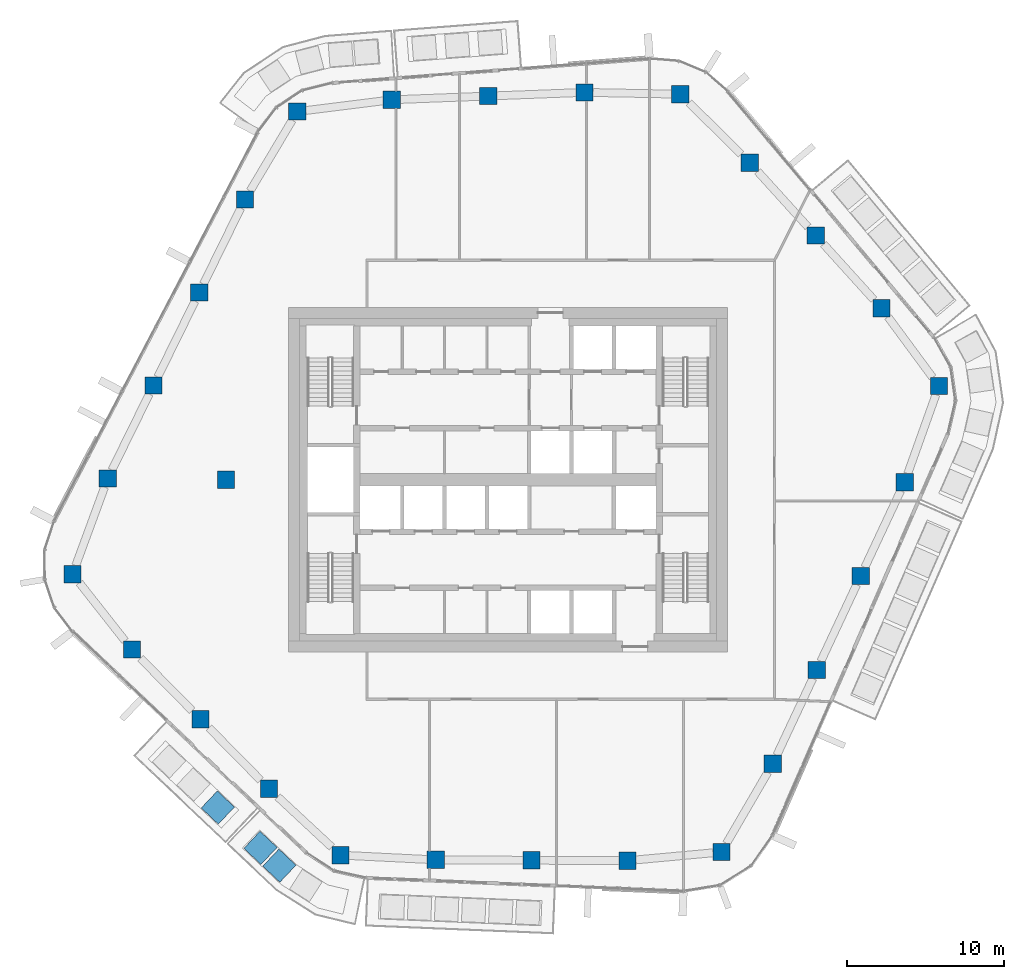
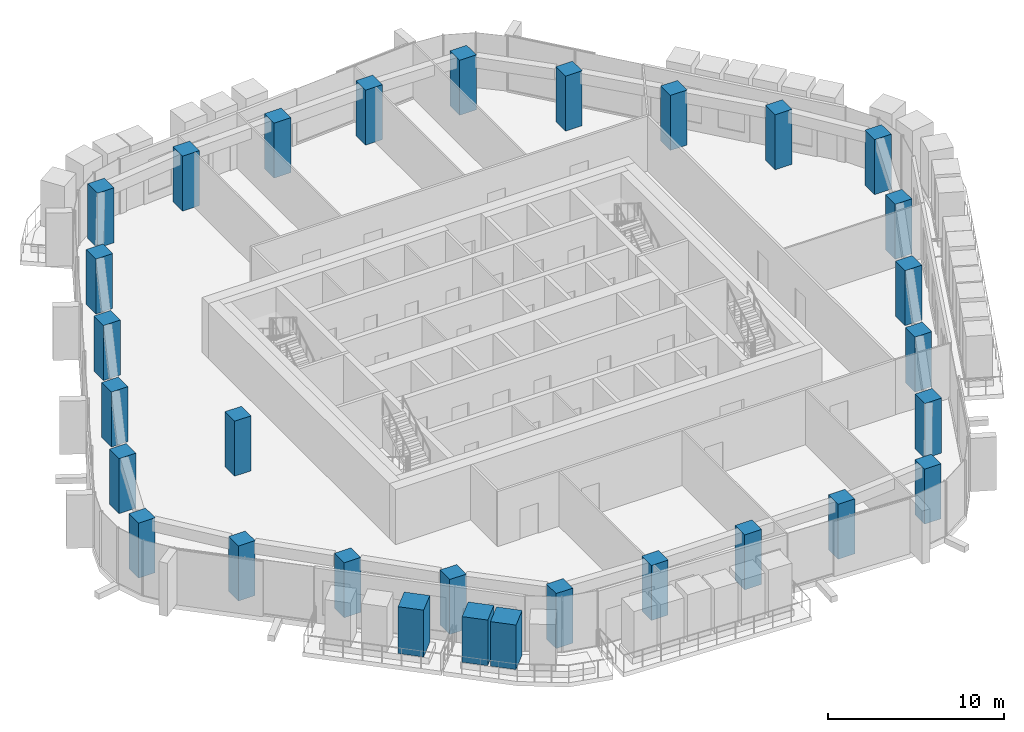
# One storey, part 1 of 20: 27 columns, 3 members.
"""IFC4 building model written with IfcOpenShell, lengths in metres."""

import ifcopenshell
import ifcopenshell.guid

model = None  # the IFC model being written
_history = None  # IfcOwnerHistory: only IFC2X3 demands one
_inside = {}  # id of a spatial element -> (the spatial element, [elements in it])
_under = {}  # id of a project, library or spatial element -> (it, [spatial elements below it])
_declared = {}  # id of a project -> (the project, [libraries it declares])
_typed = {}  # id of a type object -> (the type object, [elements of that type])
_made_of = {}  # id of a material, layer set ... -> (it, [elements and type objects made of it])


def new_model(schema):
    """Start an empty IFC model of exactly this schema.

    Asked for "IFC4X3", IfcOpenShell would pick the latest addendum, in which some entities
    have other attributes; the version numbers below select the first issue.
    IFC2X3 requires an IfcOwnerHistory on every rooted entity: one is made here for all.
    """
    global model, _history
    if schema == "IFC4X3":
        model = ifcopenshell.file(schema_version=(4, 3, 0, 0))
    else:
        model = ifcopenshell.file(schema=schema)
    _inside.clear()
    _under.clear()
    _declared.clear()
    _typed.clear()
    _made_of.clear()
    _history = None
    if model.schema == "IFC2X3":
        org = make("IfcOrganization", Name="unknown")
        user = make(
            "IfcPersonAndOrganization",
            ThePerson=make("IfcPerson", FamilyName="unknown"),
            TheOrganization=org,
        )
        app = make(
            "IfcApplication",
            ApplicationDeveloper=org,
            Version="unknown",
            ApplicationFullName="unknown",
            ApplicationIdentifier="unknown",
        )
        _history = make(
            "IfcOwnerHistory",
            OwningUser=user,
            OwningApplication=app,
            ChangeAction="ADDED",
            CreationDate=0,
        )
    return model


def make(cls, **values):
    """One entity of the class cls with the attributes given. An attribute that is None is left unset."""
    return model.create_entity(
        cls, **{name: value for name, value in values.items() if value is not None}
    )


def rooted(cls, **values):
    """An entity with a GlobalId (a new one), such as an element, a storey or a relation."""
    return make(cls, GlobalId=ifcopenshell.guid.new(), OwnerHistory=_history, **values)


def si_unit(unit_type, name, prefix=None):
    """IfcSIUnit, for example si_unit("LENGTHUNIT", "METRE", prefix="MILLI")."""
    return make("IfcSIUnit", UnitType=unit_type, Prefix=prefix, Name=name)


def assignment(units):
    """IfcUnitAssignment: the units of a project."""
    return None if units is None else make("IfcUnitAssignment", Units=units)


def point(xyz):
    """IfcCartesianPoint."""
    return None if xyz is None else make("IfcCartesianPoint", Coordinates=xyz)


def direction(xyz):
    """IfcDirection."""
    return None if xyz is None else make("IfcDirection", DirectionRatios=xyz)


def frame(location, z_axis=None, x_axis=None):
    """IfcAxis2Placement3D, a coordinate frame: its origin and axes. An axis left out is left unset."""
    return make(
        "IfcAxis2Placement3D",
        Location=point(location),
        Axis=direction(z_axis),
        RefDirection=direction(x_axis),
    )


def frame_2d(location, x_axis=None):
    """IfcAxis2Placement2D, a coordinate frame in the plane: its origin and x axis."""
    return make(
        "IfcAxis2Placement2D", Location=point(location), RefDirection=direction(x_axis)
    )


def origin():
    """The frame at (0, 0, 0) with its axes left unset."""
    return frame((0.0, 0.0, 0.0))


def origin_2d():
    """The frame at (0, 0) in the plane with its x axis left unset."""
    return frame_2d((0.0, 0.0))


def place(relative_to, where):
    """IfcLocalPlacement: puts the frame where relative to a parent placement (None: the world)."""
    return make(
        "IfcLocalPlacement", PlacementRelTo=relative_to, RelativePlacement=where
    )


def context(
    kind, dimensions, precision=None, world=None, true_north=None, identifier=None
):
    """IfcGeometricRepresentationContext, for example the 3D "Model" context."""
    return make(
        "IfcGeometricRepresentationContext",
        ContextIdentifier=identifier,
        ContextType=kind,
        CoordinateSpaceDimension=dimensions,
        Precision=precision,
        WorldCoordinateSystem=world,
        TrueNorth=true_north,
    )


def subcontext(parent, identifier, kind, view, scale=None):
    """IfcGeometricRepresentationSubContext, for example "Body" below "Model"."""
    return make(
        "IfcGeometricRepresentationSubContext",
        ContextIdentifier=identifier,
        ContextType=kind,
        ParentContext=parent,
        TargetScale=scale,
        TargetView=view,
    )


def project(units=None, contexts=None):
    """IfcProject with its units and contexts."""
    return rooted(
        "IfcProject",
        Name="project",
        RepresentationContexts=contexts,
        UnitsInContext=assignment(units),
    )


def spatial(cls, under=None, at=None, **own):
    """A site, building, storey or space (cls), placed at a placement, below another one or the project."""
    s = rooted(cls, ObjectPlacement=at, **own)
    if under is not None:
        _under.setdefault(under.id(), (under, []))[1].append(s)
    return s


def profile(cls, at=None, kind="AREA", **sizes):
    """A parametric profile (cls). Its sizes go by their IFC names, for example OverallWidth=200.0."""
    return make(cls, ProfileType=kind, Position=at, **sizes)


def rectangle(**sizes):
    """IfcRectangleProfileDef."""
    return profile("IfcRectangleProfileDef", **sizes)


def extrude(swept, where, along, depth):
    """IfcExtrudedAreaSolid: the profile swept, set in the frame where, extruded along a direction by depth."""
    return make(
        "IfcExtrudedAreaSolid",
        SweptArea=swept,
        Position=where,
        ExtrudedDirection=direction(along),
        Depth=depth,
    )


def shape(context_of_items, identifier, shape_type, items):
    """IfcShapeRepresentation: the items that make up one representation, for example the "Body"."""
    return make(
        "IfcShapeRepresentation",
        ContextOfItems=context_of_items,
        RepresentationIdentifier=identifier,
        RepresentationType=shape_type,
        Items=items,
    )


def material(Name=None, Category=None):
    """IfcMaterial."""
    return make("IfcMaterial", Name=Name, Category=Category)


def material_profile(
    of_material, cross_section, Name=None, Category=None, Priority=None
):
    """IfcMaterialProfile: a cross section and its material."""
    return make(
        "IfcMaterialProfile",
        Name=Name,
        Material=of_material,
        Profile=cross_section,
        Priority=Priority,
        Category=Category,
    )


def profile_set(profiles, Name=None, composite=None):
    """IfcMaterialProfileSet."""
    return make(
        "IfcMaterialProfileSet",
        Name=Name,
        MaterialProfiles=profiles,
        CompositeProfile=composite,
    )


def made_of(thing, what):
    """Note that an element or type object is made of a material, layer set ...; save() writes the relation."""
    if what is not None:
        _made_of.setdefault(what.id(), (what, []))[1].append(thing)
    return thing


def type_object(cls, material=None, **own):
    """A type object (cls), such as IfcWallType, which elements share."""
    return made_of(rooted(cls, **own), material)


def element(
    cls,
    number,
    at=None,
    inside=None,
    cuts=None,
    type_object=None,
    material=None,
    context=None,
    identifier="Body",
    shape_type=None,
    held_by="IfcProductDefinitionShape",
    body=None,
    shapes=None,
    **own,
):
    """One element of the class cls, such as IfcWall. Its Tag is "e" and its number.

    at: its placement. inside: the storey or other place that contains it. cuts: it is an
    opening in that element (IfcRelVoidsElement). A single representation is given by context,
    identifier, shape_type and body (its items); several are given by shapes. held_by: the class
    of the entity that holds the representations. save() writes the other relations.
    """
    e = rooted(cls, Tag="e%d" % number, ObjectPlacement=at, **own)
    if body is not None:
        shapes = [shape(context, identifier, shape_type, body)]
    if shapes is not None:
        e.Representation = make(held_by, Representations=shapes)
    if inside is not None:
        _inside.setdefault(inside.id(), (inside, []))[1].append(e)
    if cuts is not None:
        rooted(
            "IfcRelVoidsElement", RelatingBuildingElement=cuts, RelatedOpeningElement=e
        )
    if type_object is not None:
        _typed.setdefault(type_object.id(), (type_object, []))[1].append(e)
    return made_of(e, material)


def aggregate(whole, parts):
    """IfcRelAggregates: a whole, such as a stair, and the parts it consists of."""
    return rooted("IfcRelAggregates", RelatingObject=whole, RelatedObjects=parts)


def save(model, path):
    """Write the relations noted so far, then the file.

    IfcRelAggregates (storeys below a building ...), IfcRelContainedInSpatialStructure (elements
    in a storey), IfcRelDefinesByType, IfcRelAssociatesMaterial and IfcRelDeclares: one each for
    every whole, place, type object, material and project.
    """
    for whole, parts in _under.values():
        aggregate(whole, parts)
    for where, things in _inside.values():
        rooted(
            "IfcRelContainedInSpatialStructure",
            RelatedElements=things,
            RelatingStructure=where,
        )
    for kind, things in _typed.values():
        rooted("IfcRelDefinesByType", RelatedObjects=things, RelatingType=kind)
    for what, things in _made_of.values():
        rooted("IfcRelAssociatesMaterial", RelatedObjects=things, RelatingMaterial=what)
    for by, libraries in _declared.values():
        rooted("IfcRelDeclares", RelatingContext=by, RelatedDefinitions=libraries)
    model.write(path)


model = new_model("IFC4")

# Units and contexts
model_context = context("Model", 3, precision=1e-05, world=origin(), true_north=direction((0.0, 1.0)))
body_context = subcontext(model_context, "Body", "Model", "MODEL_VIEW")
ifc_project = project(units=[si_unit("LENGTHUNIT", "METRE"), si_unit("AREAUNIT", "SQUARE_METRE"), si_unit("VOLUMEUNIT", "CUBIC_METRE"), si_unit("PLANEANGLEUNIT", "RADIAN"), si_unit("MASSUNIT", "GRAM", prefix="KILO")], contexts=[model_context])

# Site, building, storey
site_placement = place(None, origin())
site = spatial("IfcSite", under=ifc_project, at=site_placement, CompositionType="ELEMENT")
building_placement = place(site_placement, origin())
building = spatial("IfcBuilding", under=site, at=building_placement, Name="Dongbaek Canopy Tower", CompositionType="ELEMENT")
storey_placement = place(building_placement, frame((0.0, 0.0, 245.39990234375)))
storey = spatial("IfcBuildingStorey", under=building, at=storey_placement, Name="L51", CompositionType="ELEMENT", Elevation=245.39990234375)

# Columns
ifc_material_1 = material(Name="Concrete C70", Category="concrete")
ifc_material_profile_1 = material_profile(ifc_material_1, rectangle(XDim=1.10009765625, YDim=1.10009765625, at=origin_2d()), Name="RC COLUMN 1100x1100 C70")
ifc_profile_set_1 = profile_set([ifc_material_profile_1], Name="Concrete C70")
column_type = type_object("IfcColumnType", Name="RC COLUMN 1100x1100 C70", PredefinedType="COLUMN", material=ifc_profile_set_1)
for number, where, z_axis, x_axis, name in (
    (1, (13.612060546875, -23.74609375, 0.0), (0.0, 0.0, 1.0), (1.0, 0.0, 0.0), "COL:CZ4-01:L51"),
    (2, (7.615966796875, -24.300048828125, 0.0), (0.0, 0.0, 1.0), (1.0, 0.0, 0.0), "COL:CZ4-02:L51"),
    (3, (1.501953125, -24.27197265625, 0.0), (0.0, 0.0, 1.0), (1.0, 0.0, 0.0), "COL:CZ4-03:L51"),
    (4, (-4.611083984375, -24.24609375, 0.0), (0.0, 0.0, 1.0), (1.0, 0.0, 0.0), "COL:CZ4-04:L51"),
    (5, (-10.697021484375, -23.946044921875, 0.0), (0.0, 0.0, 1.0), (1.0, 0.0, 0.0), "COL:CZ4-05:L51"),
    (6, (-15.2470703125, -19.714111328125, 0.0), (0.0, 0.0, 1.0), (1.0, 0.0, 0.0), "COL:CZ4-06:L51"),
    (7, (-19.6220703125, -15.27197265625, 0.0), (0.0, 0.0, 1.0), (1.0, 0.0, 0.0), "COL:CZ4-07:L51"),
    (8, (-23.9970703125, -10.8291015625, 0.0), (0.0, 0.0, 1.0), (1.0, 0.0, 0.0), "COL:CZ4-08:L51"),
    (9, (-27.781982421875, -6.02001953125, 0.0), (0.0, 0.0, 1.0), (1.0, 0.0, 0.0), "COL:CZ4-09:L51"),
    (10, (-25.5400390625, 0.075927734375, 0.0), (0.0, 0.0, 1.0), (1.0, 0.0, 0.0), "COL:CZ4-10:L51"),
    (11, (-22.62109375, 6.010986328125, 0.0), (0.0, 0.0, 1.0), (1.0, 0.0, 0.0), "COL:CZ4-11:L51"),
    (12, (-19.701904296875, 11.945068359375, 0.0), (0.0, 0.0, 1.0), (1.0, 0.0, 0.0), "COL:CZ4-12:L51"),
    (13, (-16.783935546875, 17.8779296875, 0.0), (0.0, 0.0, 1.0), (1.0, 0.0, 0.0), "COL:CZ4-13:L51"),
    (14, (-13.44189453125, 23.490966796875, 0.0), (0.0, 0.0, 1.0), (1.0, 0.0, 0.0), "COL:CZ4-14:L51"),
    (15, (-7.4150390625, 24.242919921875, 0.0), (0.0, 0.0, 1.0), (1.0, 0.0, 0.0), "COL:CZ4-15:L51"),
    (16, (-1.26611328125, 24.47900390625, 0.0), (0.0, 0.0, 1.0), (1.0, 0.0, 0.0), "COL:CZ4-16:L51"),
    (17, (4.883056640625, 24.714111328125, 0.0), (0.0, 0.0, 1.0), (1.0, 0.0, 0.0), "COL:CZ4-17:L51"),
    (18, (10.989990234375, 24.59912109375, 0.0), (0.0, 0.0, 1.0), (1.0, 0.0, 0.0), "COL:CZ4-18:L51"),
    (19, (15.41796875, 20.22900390625, 0.0), (0.0, 0.0, 1.0), (1.0, 0.0, 0.0), "COL:CZ4-19:L51"),
    (20, (19.625, 15.583984375, 0.0), (0.0, 0.0, 1.0), (1.0, 0.0, 0.0), "COL:CZ4-20:L51"),
    (21, (23.8310546875, 10.93896484375, 0.0), (0.0, 0.0, 1.0), (1.0, 0.0, 0.0), "COL:CZ4-21:L51"),
    (22, (27.491943359375, 5.97705078125, 0.0), (0.0, 0.0, 1.0), (1.0, 0.0, 0.0), "COL:CZ4-22:L51"),
    (23, (25.302001953125, -0.152099609375, 0.0), (0.0, 0.0, 1.0), (1.0, 0.0, 0.0), "COL:CZ4-23:L51"),
    (24, (22.4990234375, -6.138916015625, 0.0), (0.0, 0.0, 1.0), (1.0, 0.0, 0.0), "COL:CZ4-24:L51"),
    (25, (19.695068359375, -12.126953125, 0.0), (0.0, 0.0, 1.0), (1.0, 0.0, 0.0), "COL:CZ4-25:L51"),
    (26, (16.889892578125, -18.114013671875, 0.0), (0.0, 0.0, 1.0), (1.0, 0.0, 0.0), "COL:CZ4-26:L51"),
    (27, (-18.0, 0.0, 0.0), (0.0, 0.0, 1.0), (1.0, 0.0, 0.0), "COL:CIZ4-01:L51"),
):
    element("IfcColumn", number, at=place(storey_placement, frame(where, z_axis=z_axis, x_axis=x_axis)), inside=storey, type_object=column_type, Name=name, PredefinedType="COLUMN", context=body_context, shape_type="SweptSolid", body=[
        extrude(rectangle(XDim=1.10009765625, YDim=1.10009765625, at=origin_2d()), origin(), (0.0, 0.0, 1.0), 3.820068359375),
    ])

# Members
ifc_material_2 = material(Name="Concrete C40/50 planter mass with planting", Category="concrete")
ifc_material_profile_2 = material_profile(ifc_material_2, rectangle(XDim=1.5, YDim=1.5, at=origin_2d()), Name="Terrace PLANTER shrub mass 1500 x 1500")
ifc_profile_set_2 = profile_set([ifc_material_profile_2], Name="Concrete C40/50 planter mass with planting")
member_type = type_object("IfcMemberType", Name="Terrace PLANTER shrub mass 1500 x 1500", PredefinedType="USERDEFINED", material=ifc_profile_set_2)
member_1_placement = place(storey_placement, frame((-18.51611328125, -20.908447265625, 0.420166015625), z_axis=(0.0, 0.0, 1.0), x_axis=(-0.687304953463, -0.72636898402, 0.0)))
element("IfcMember", 28, at=member_1_placement, inside=storey, type_object=member_type, Name="Planter shrubs L51 3.3", ObjectType="PLANTER", PredefinedType="USERDEFINED", context=body_context, shape_type="SweptSolid", body=[
    extrude(rectangle(XDim=1.5, YDim=1.5, at=origin_2d()), origin(), (0.0, 0.0, 1.0), 3.25),
])
member_2_placement = place(storey_placement, frame((-15.793701171875, -23.482177734375, 0.420166015625), z_axis=(0.0, 0.0, 1.0), x_axis=(-0.685817459047, -0.727773600007, 0.0)))
element("IfcMember", 29, at=member_2_placement, inside=storey, type_object=member_type, Name="Planter shrubs L51 8.1", ObjectType="PLANTER", PredefinedType="USERDEFINED", context=body_context, shape_type="SweptSolid", body=[
    extrude(rectangle(XDim=1.5, YDim=1.5, at=origin_2d()), origin(), (0.0, 0.0, 1.0), 3.169921875),
])
member_3_placement = place(storey_placement, frame((-14.589599609375, -24.616943359375, 0.420166015625), z_axis=(0.0, 0.0, 1.0), x_axis=(-0.685817459047, -0.727773600007, 0.0)))
element("IfcMember", 30, at=member_3_placement, inside=storey, type_object=member_type, Name="Planter shrubs L51 8.2", ObjectType="PLANTER", PredefinedType="USERDEFINED", context=body_context, shape_type="SweptSolid", body=[
    extrude(rectangle(XDim=1.5, YDim=1.5, at=origin_2d()), origin(), (0.0, 0.0, 1.0), 3.08984375),
])

save(model, "model.ifc")
